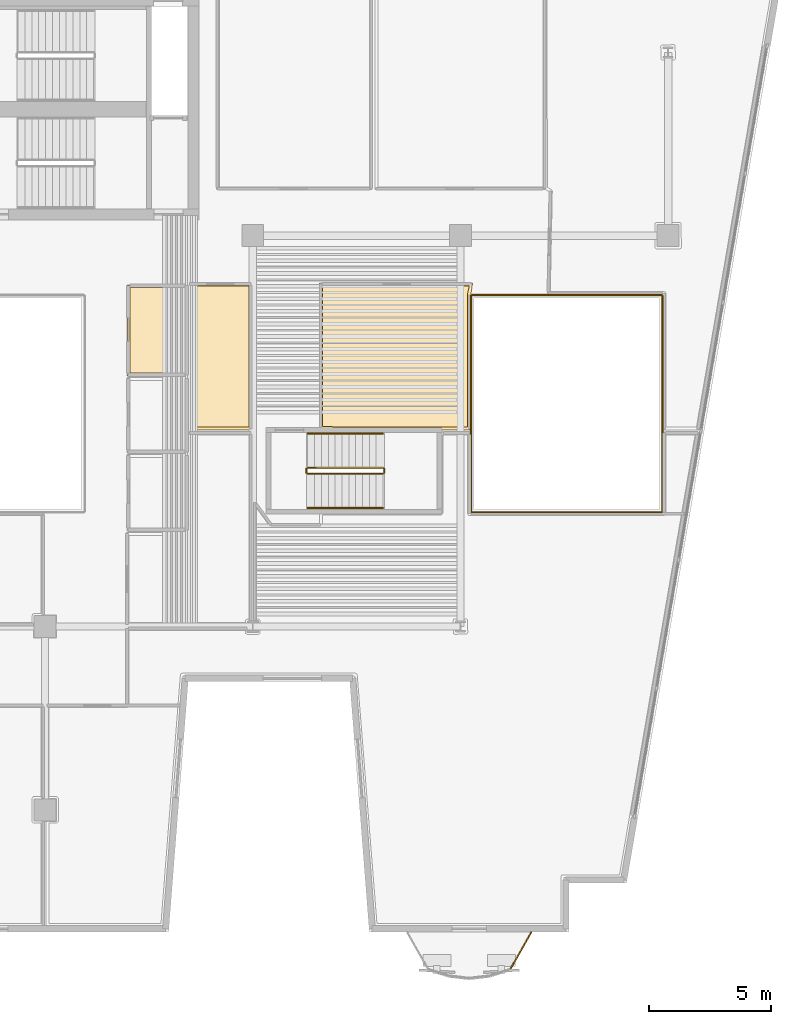
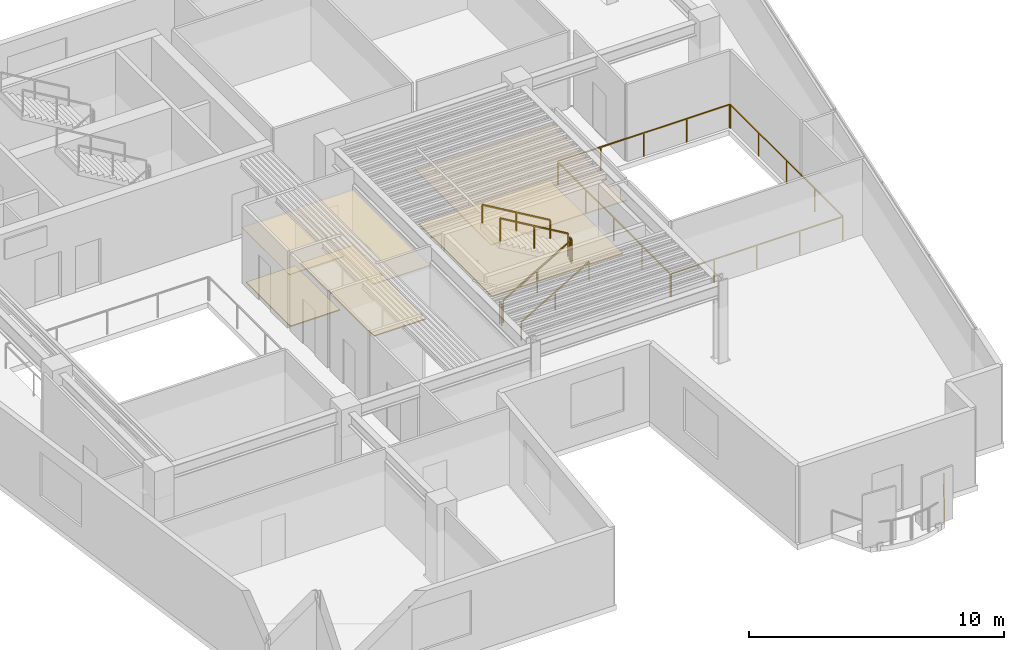
# One storey, part 8 of 10: 11 railings, 6 coverings.
"""IFC4 building model written with IfcOpenShell, lengths in metres."""

from ifc_helpers import new_model, si_unit, direction, frame, origin, origin_2d, place, context, subcontext, project, spatial, polyline, rectangle, outline, extrude, material, layer, layer_set, type_object, element, save


model = new_model("IFC4")

# Units and contexts
model_context = context("Model", 3, precision=1e-05, world=origin(), true_north=direction((0.0, 1.0)))
body_context = subcontext(model_context, "Body", "Model", "MODEL_VIEW")
ifc_project = project(units=[si_unit("LENGTHUNIT", "METRE"), si_unit("AREAUNIT", "SQUARE_METRE"), si_unit("VOLUMEUNIT", "CUBIC_METRE"), si_unit("PLANEANGLEUNIT", "RADIAN"), si_unit("MASSUNIT", "GRAM", prefix="KILO")], contexts=[model_context])

# Site, building, storey
site_placement = place(None, origin())
site = spatial("IfcSite", under=ifc_project, at=site_placement, CompositionType="ELEMENT")
building_placement = place(site_placement, origin())
building = spatial("IfcBuilding", under=site, at=building_placement, Name="Caeloran Harvest Quay", CompositionType="ELEMENT")
storey_placement = place(building_placement, frame((0.0, 0.0, 191.64990234375)))
storey = spatial("IfcBuildingStorey", under=building, at=storey_placement, Name="L45", CompositionType="ELEMENT", Elevation=191.64990234375)

# Coverings
ifc_material_1 = material(Name="Perforated Mineral-Fibre Acoustic Ceiling Tile", Category="ceiling")
ifc_layer_1 = layer(ifc_material_1, 0.0400390625, Name="Perforated Mineral-Fibre Acoustic Ceiling Tile")
ifc_layer_set_1 = layer_set([ifc_layer_1], Name="Perforated Mineral-Fibre Acoustic Ceiling Tile")
covering_type_1 = type_object("IfcCoveringType", Name="COV-CEILING-ACOUSTIC", PredefinedType="CEILING", material=ifc_layer_set_1)
covering_1_placement = place(storey_placement, frame((0.0, 0.0, 2.60009765625)))
element("IfcCovering", 1, at=covering_1_placement, inside=storey, type_object=covering_type_1, Name="L45 Male Washroom WC Acoustic Ceiling", PredefinedType="CEILING", context=body_context, shape_type="SweptSolid", body=[
    extrude(outline(polyline([(22.840087890625, 28.989990234375), (22.840087890625, 25.260009765625), (20.360107421875, 25.260009765625), (20.360107421875, 28.989990234375), (22.840087890625, 28.989990234375)])), origin(), (0.0, 0.0, 1.0), 0.0400390625),
])
covering_2_placement = place(storey_placement, frame((0.0, 0.0, 2.60009765625)))
element("IfcCovering", 2, at=covering_2_placement, inside=storey, type_object=covering_type_1, Name="Harbour View Boardroom Acoustic Ceiling", PredefinedType="CEILING", context=body_context, shape_type="SweptSolid", body=[
    extrude(outline(polyline([(22.8701171875, 23.0400390625), (22.8701171875, 29.06005859375), (25.4599609375, 29.06005859375), (25.4599609375, 23.0400390625), (22.8701171875, 23.0400390625)])), origin(), (0.0, 0.0, 1.0), 0.0400390625),
])
covering_3_placement = place(storey_placement, frame((0.0, 0.0, 2.60009765625)))
element("IfcCovering", 3, at=covering_3_placement, inside=storey, type_object=covering_type_1, Name="Client Hospitality Lounge Acoustic Ceiling", PredefinedType="CEILING", context=body_context, shape_type="SweptSolid", body=[
    extrude(outline(polyline([(33.162841796875, 23.06005859375), (28.239990234375, 23.06005859375), (28.239990234375, 29.06005859375), (34.49853515625, 29.06005859375), (34.429931640625, 28.596923828125), (34.409912109375, 28.592041015625), (34.409912109375, 23.0400390625), (33.170166015625, 23.0400390625), (33.162841796875, 23.06005859375)])), origin(), (0.0, 0.0, 1.0), 0.0400390625),
])
ifc_material_2 = material(Name="Calcium-Sulphate Raised Access Floor and Terrazzo Finish", Category="flooring")
ifc_layer_2 = layer(ifc_material_2, 0.050048828125, Name="Calcium-Sulphate Raised Access Floor and Terrazzo Finish")
ifc_layer_set_2 = layer_set([ifc_layer_2], Name="Calcium-Sulphate Raised Access Floor and Terrazzo Finish")
covering_type_2 = type_object("IfcCoveringType", Name="COV-FLOOR-RAISED", PredefinedType="FLOORING", material=ifc_layer_set_2)
covering_4_placement = place(storey_placement, origin())
element("IfcCovering", 4, at=covering_4_placement, inside=storey, type_object=covering_type_2, Name="L45 Male Washroom WC Raised Finish Flooring", PredefinedType="FLOORING", context=body_context, shape_type="SweptSolid", body=[
    extrude(outline(polyline([(22.719970703125, 28.8701171875), (22.719970703125, 25.3798828125), (20.47998046875, 25.3798828125), (20.47998046875, 28.8701171875), (22.719970703125, 28.8701171875)])), origin(), (0.0, 0.0, 1.0), 0.050048828125),
])
covering_5_placement = place(storey_placement, origin())
element("IfcCovering", 5, at=covering_5_placement, inside=storey, type_object=covering_type_2, Name="Harbour View Boardroom Raised Finish Flooring", PredefinedType="FLOORING", context=body_context, shape_type="SweptSolid", body=[
    extrude(outline(polyline([(22.989990234375, 23.159912109375), (22.989990234375, 28.93994140625), (25.340087890625, 28.93994140625), (25.340087890625, 23.159912109375), (22.989990234375, 23.159912109375)])), origin(), (0.0, 0.0, 1.0), 0.050048828125),
])
covering_6_placement = place(storey_placement, origin())
element("IfcCovering", 6, at=covering_6_placement, inside=storey, type_object=covering_type_2, Name="Client Hospitality Lounge Raised Finish Flooring", PredefinedType="FLOORING", context=body_context, shape_type="SweptSolid", body=[
    extrude(outline(polyline([(34.2900390625, 23.159912109375), (28.360107421875, 23.179931640625), (28.360107421875, 28.93994140625), (34.359619140625, 28.93994140625), (34.2900390625, 28.60009765625), (34.2900390625, 23.159912109375)])), origin(), (0.0, 0.0, 1.0), 0.050048828125),
])

# Railings
ifc_material_3 = material(Name="Powder-Coated Steel Post and Laminated Glass Guardrail", Category="steel")
ifc_layer_3 = layer(ifc_material_3, 0.06005859375, Name="Powder-Coated Steel Post and Laminated Glass Guardrail")
ifc_layer_set_3 = layer_set([ifc_layer_3], Name="Powder-Coated Steel Post and Laminated Glass Guardrail")
railing_type_1 = type_object("IfcRailingType", Name="GUARD-ATRIUM-1150", PredefinedType="GUARDRAIL", material=ifc_layer_set_3)
railing_1_placement = place(storey_placement, frame((34.4619140625, 19.679931640625, 0.0)))
element("IfcRailing", 7, at=railing_1_placement, inside=storey, type_object=railing_type_1, Name="L45 East Botanical Lightwell Guardrail Seg 1", PredefinedType="GUARDRAIL", context=body_context, shape_type="SweptSolid", body=[
    extrude(rectangle(XDim=0.048095703125, YDim=0.048095703125, at=origin_2d()), frame((0.0, 0.0, 1.1259765625), z_axis=(1.0, 0.0, 0.0), x_axis=(0.0, 1.0, 0.0)), (0.0, 0.0, 1.0), 7.776123046875),
    extrude(rectangle(XDim=0.0419921875, YDim=0.0419921875, at=origin_2d()), origin(), (0.0, 0.0, 1.0), 1.101806640625),
    extrude(rectangle(XDim=0.0419921875, YDim=0.0419921875, at=origin_2d()), frame((1.944091796875, 0.0, 0.0)), (0.0, 0.0, 1.0), 1.101806640625),
    extrude(rectangle(XDim=0.0419921875, YDim=0.0419921875, at=origin_2d()), frame((3.88818359375, 0.0, 0.0)), (0.0, 0.0, 1.0), 1.101806640625),
    extrude(rectangle(XDim=0.0419921875, YDim=0.0419921875, at=origin_2d()), frame((5.83203125, 0.0, 0.0)), (0.0, 0.0, 1.0), 1.101806640625),
    extrude(rectangle(XDim=0.0419921875, YDim=0.0419921875, at=origin_2d()), frame((7.776123046875, 0.0, 0.0)), (0.0, 0.0, 1.0), 1.101806640625),
])
railing_2_placement = place(storey_placement, frame((42.27001953125, 19.7119140625, 0.0)))
element("IfcRailing", 8, at=railing_2_placement, inside=storey, type_object=railing_type_1, Name="L45 East Botanical Lightwell Guardrail Seg 2", PredefinedType="GUARDRAIL", context=body_context, shape_type="SweptSolid", body=[
    extrude(rectangle(XDim=0.048095703125, YDim=0.048095703125, at=origin_2d()), frame((0.0, 0.0, 1.1259765625), z_axis=(0.0, 1.0, 0.0), x_axis=(-1.0, 0.0, 0.0)), (0.0, 0.0, 1.0), 8.826171875),
    extrude(rectangle(XDim=0.0419921875, YDim=0.0419921875, at=origin_2d()), origin(), (0.0, 0.0, 1.0), 1.101806640625),
    extrude(rectangle(XDim=0.0419921875, YDim=0.0419921875, at=origin_2d()), frame((0.0, 2.20654296875, 0.0)), (0.0, 0.0, 1.0), 1.101806640625),
    extrude(rectangle(XDim=0.0419921875, YDim=0.0419921875, at=origin_2d()), frame((0.0, 4.4130859375, 0.0)), (0.0, 0.0, 1.0), 1.101806640625),
    extrude(rectangle(XDim=0.0419921875, YDim=0.0419921875, at=origin_2d()), frame((0.0, 6.61962890625, 0.0)), (0.0, 0.0, 1.0), 1.101806640625),
    extrude(rectangle(XDim=0.0419921875, YDim=0.0419921875, at=origin_2d()), frame((0.0, 8.826171875, 0.0)), (0.0, 0.0, 1.0), 1.101806640625),
])
railing_3_placement = place(storey_placement, frame((42.238037109375, 28.570068359375, 0.0)))
element("IfcRailing", 9, at=railing_3_placement, inside=storey, type_object=railing_type_1, Name="L45 East Botanical Lightwell Guardrail Seg 3", PredefinedType="GUARDRAIL", context=body_context, shape_type="SweptSolid", body=[
    extrude(rectangle(XDim=0.048095703125, YDim=0.048095703125, at=origin_2d()), frame((0.0, 0.0, 1.1259765625), z_axis=(-1.0, 0.0, 0.0), x_axis=(0.0, -1.0, 0.0)), (0.0, 0.0, 1.0), 7.776123046875),
    extrude(rectangle(XDim=0.0419921875, YDim=0.0419921875, at=origin_2d()), origin(), (0.0, 0.0, 1.0), 1.101806640625),
    extrude(rectangle(XDim=0.0419921875, YDim=0.0419921875, at=origin_2d()), frame((-1.944091796875, 0.0, 0.0)), (0.0, 0.0, 1.0), 1.101806640625),
    extrude(rectangle(XDim=0.0419921875, YDim=0.0419921875, at=origin_2d()), frame((-3.88818359375, 0.0, 0.0)), (0.0, 0.0, 1.0), 1.101806640625),
    extrude(rectangle(XDim=0.0419921875, YDim=0.0419921875, at=origin_2d()), frame((-5.83203125, 0.0, 0.0)), (0.0, 0.0, 1.0), 1.101806640625),
    extrude(rectangle(XDim=0.0419921875, YDim=0.0419921875, at=origin_2d()), frame((-7.776123046875, 0.0, 0.0)), (0.0, 0.0, 1.0), 1.101806640625),
])
railing_4_placement = place(storey_placement, frame((34.429931640625, 28.5380859375, 0.0)))
element("IfcRailing", 10, at=railing_4_placement, inside=storey, type_object=railing_type_1, Name="L45 East Botanical Lightwell Guardrail Seg 4", PredefinedType="GUARDRAIL", context=body_context, shape_type="SweptSolid", body=[
    extrude(rectangle(XDim=0.048095703125, YDim=0.048095703125, at=origin_2d()), frame((0.0, 0.0, 1.1259765625), z_axis=(0.0, -1.0, 0.0), x_axis=(1.0, 0.0, 0.0)), (0.0, 0.0, 1.0), 8.826171875),
    extrude(rectangle(XDim=0.0419921875, YDim=0.0419921875, at=origin_2d()), origin(), (0.0, 0.0, 1.0), 1.101806640625),
    extrude(rectangle(XDim=0.0419921875, YDim=0.0419921875, at=origin_2d()), frame((0.0, -2.20654296875, 0.0)), (0.0, 0.0, 1.0), 1.101806640625),
    extrude(rectangle(XDim=0.0419921875, YDim=0.0419921875, at=origin_2d()), frame((0.0, -4.4130859375, 0.0)), (0.0, 0.0, 1.0), 1.101806640625),
    extrude(rectangle(XDim=0.0419921875, YDim=0.0419921875, at=origin_2d()), frame((0.0, -6.61962890625, 0.0)), (0.0, 0.0, 1.0), 1.101806640625),
    extrude(rectangle(XDim=0.0419921875, YDim=0.0419921875, at=origin_2d()), frame((0.0, -8.826171875, 0.0)), (0.0, 0.0, 1.0), 1.101806640625),
])
ifc_material_4 = material(Name="Laminated Safety Glass and Stainless Steel 316", Category="steel")
ifc_layer_4 = layer(ifc_material_4, 0.06005859375, Name="Laminated Safety Glass and Stainless Steel 316")
ifc_layer_set_4 = layer_set([ifc_layer_4], Name="Laminated Safety Glass and Stainless Steel 316")
railing_type_2 = type_object("IfcRailingType", Name="GUARD-BALUSTRADE-1150", PredefinedType="BALUSTRADE", material=ifc_layer_set_4)
railing_5_placement = place(storey_placement, frame((36.89501953125, 2.47998046875, 0.0)))
element("IfcRailing", 11, at=railing_5_placement, inside=storey, type_object=railing_type_2, Name="L45 Planted Balcony Perimeter Balustrade Guard Seg 1", PredefinedType="BALUSTRADE", context=body_context, shape_type="SweptSolid", body=[
    extrude(rectangle(XDim=0.048095703125, YDim=0.048095703125, at=origin_2d()), frame((0.0, 0.0, 1.1259765625), z_axis=(-0.493060124034, -0.869995237968, 0.0), x_axis=(0.869995237968, -0.493060124034, 0.0)), (0.0, 0.0, 1.0), 1.68408203125),
    extrude(rectangle(XDim=0.0419921875, YDim=0.0419921875, at=origin_2d()), origin(), (0.0, 0.0, 1.0), 1.101806640625),
    extrude(rectangle(XDim=0.0419921875, YDim=0.0419921875, at=origin_2d()), frame((-0.830322265625, -1.465087890625, 0.0)), (0.0, 0.0, 1.0), 1.101806640625),
])
ifc_material_5 = material(Name="Painted Steel Baluster and Top-Rail Stair Guard", Category="steel")
ifc_layer_5 = layer(ifc_material_5, 0.050048828125, Name="Painted Steel Baluster and Top-Rail Stair Guard")
ifc_layer_set_5 = layer_set([ifc_layer_5], Name="Painted Steel Baluster and Top-Rail Stair Guard")
railing_type_3 = type_object("IfcRailingType", Name="STAIR-GUARD-1100", PredefinedType="GUARDRAIL", material=ifc_layer_set_5)
railing_6_placement = place(storey_placement, frame((27.75, 21.25, 0.164794921875)))
element("IfcRailing", 12, at=railing_6_placement, inside=storey, type_object=railing_type_3, Name="L45 ST-W1 stair guard 1", PredefinedType="GUARDRAIL", context=body_context, shape_type="SweptSolid", body=[
    extrude(rectangle(XDim=0.048095703125, YDim=0.048095703125, at=origin_2d()), frame((0.0, 0.0, 1.076171875), z_axis=(0.862118610829, 0.0, 0.506706523406), x_axis=(0.0, 1.0, 0.0)), (0.0, 0.0, 1.0), 3.57275390625),
    extrude(rectangle(XDim=0.0419921875, YDim=0.0419921875, at=origin_2d()), origin(), (0.0, 0.0, 1.0), 1.052001953125),
    extrude(rectangle(XDim=0.0419921875, YDim=0.0419921875, at=origin_2d()), frame((1.5400390625, 0.0, 0.9052734375)), (0.0, 0.0, 1.0), 1.052001953125),
    extrude(rectangle(XDim=0.0419921875, YDim=0.0419921875, at=origin_2d()), frame((3.080078125, 0.0, 1.810302734375)), (0.0, 0.0, 1.0), 1.052001953125),
])
railing_7_placement = place(storey_placement, frame((30.8798828125, 21.300048828125, 1.97509765625)))
element("IfcRailing", 13, at=railing_7_placement, inside=storey, type_object=railing_type_3, Name="L45 ST-W1 stair guard 2", PredefinedType="GUARDRAIL", context=body_context, shape_type="SweptSolid", body=[
    extrude(rectangle(XDim=0.048095703125, YDim=0.048095703125, at=origin_2d()), frame((0.0, 0.0, 1.076171875), z_axis=(0.0, 1.0, 0.0), x_axis=(-1.0, 0.0, 0.0)), (0.0, 0.0, 1.0), 0.14990234375),
    extrude(rectangle(XDim=0.0419921875, YDim=0.0419921875, at=origin_2d()), origin(), (0.0, 0.0, 1.0), 1.052001953125),
    extrude(rectangle(XDim=0.0419921875, YDim=0.0419921875, at=origin_2d()), frame((0.0, 0.14990234375, 0.0)), (0.0, 0.0, 1.0), 1.052001953125),
])
railing_8_placement = place(storey_placement, frame((30.830078125, 21.5, 2.1396484375)))
element("IfcRailing", 14, at=railing_8_placement, inside=storey, type_object=railing_type_3, Name="L45 ST-W1 stair guard 3", PredefinedType="GUARDRAIL", context=body_context, shape_type="SweptSolid", body=[
    extrude(rectangle(XDim=0.048095703125, YDim=0.048095703125, at=origin_2d()), frame((0.0, 0.0, 1.076171875), z_axis=(-0.862088758681, 0.0, 0.506757310905), x_axis=(0.0, -1.0, 0.0)), (0.0, 0.0, 1.0), 3.57275390625),
    extrude(rectangle(XDim=0.0419921875, YDim=0.0419921875, at=origin_2d()), origin(), (0.0, 0.0, 1.0), 1.052001953125),
    extrude(rectangle(XDim=0.0419921875, YDim=0.0419921875, at=origin_2d()), frame((-1.5400390625, 0.0, 0.9052734375)), (0.0, 0.0, 1.0), 1.052001953125),
    extrude(rectangle(XDim=0.0419921875, YDim=0.0419921875, at=origin_2d()), frame((-3.080078125, 0.0, 1.810546875)), (0.0, 0.0, 1.0), 1.052001953125),
])
railing_9_placement = place(storey_placement, frame((27.699951171875, 21.300048828125, 0.0)))
element("IfcRailing", 15, at=railing_9_placement, inside=storey, type_object=railing_type_3, Name="L45 ST-W1 stair guard 4", PredefinedType="GUARDRAIL", context=body_context, shape_type="SweptSolid", body=[
    extrude(rectangle(XDim=0.048095703125, YDim=0.048095703125, at=origin_2d()), frame((0.0, 0.0, 1.076171875), z_axis=(0.0, 1.0, 0.0), x_axis=(-1.0, 0.0, 0.0)), (0.0, 0.0, 1.0), 0.14990234375),
    extrude(rectangle(XDim=0.0419921875, YDim=0.0419921875, at=origin_2d()), origin(), (0.0, 0.0, 1.0), 1.052001953125),
    extrude(rectangle(XDim=0.0419921875, YDim=0.0419921875, at=origin_2d()), frame((0.0, 0.14990234375, 0.0)), (0.0, 0.0, 1.0), 1.052001953125),
])
ifc_material_6 = material(Name="Brushed Stainless Steel Grade 304", Category="steel")
ifc_layer_6 = layer(ifc_material_6, 0.050048828125, Name="Brushed Stainless Steel Grade 304")
ifc_layer_set_6 = layer_set([ifc_layer_6], Name="Brushed Stainless Steel Grade 304")
railing_type_4 = type_object("IfcRailingType", Name="STAIR-HANDRAIL-900", PredefinedType="HANDRAIL", material=ifc_layer_set_6)
railing_10_placement = place(storey_placement, frame((27.75, 19.85009765625, 0.164794921875)))
element("IfcRailing", 16, at=railing_10_placement, inside=storey, type_object=railing_type_4, Name="L45 ST-W1 stair handrail 1", PredefinedType="HANDRAIL", context=body_context, shape_type="SweptSolid", body=[
    extrude(rectangle(XDim=0.048095703125, YDim=0.048095703125, at=origin_2d()), frame((0.0, 0.0, 0.8759765625), z_axis=(0.862118610829, 0.0, 0.506706523406), x_axis=(0.0, 1.0, 0.0)), (0.0, 0.0, 1.0), 3.57275390625),
    extrude(rectangle(XDim=0.0419921875, YDim=0.0419921875, at=origin_2d()), origin(), (0.0, 0.0, 1.0), 0.851806640625),
    extrude(rectangle(XDim=0.0419921875, YDim=0.0419921875, at=origin_2d()), frame((1.5400390625, 0.0, 0.9052734375)), (0.0, 0.0, 1.0), 0.851806640625),
    extrude(rectangle(XDim=0.0419921875, YDim=0.0419921875, at=origin_2d()), frame((3.080078125, 0.0, 1.810302734375)), (0.0, 0.0, 1.0), 0.851806640625),
])
railing_11_placement = place(storey_placement, frame((30.830078125, 22.89990234375, 2.1396484375)))
element("IfcRailing", 17, at=railing_11_placement, inside=storey, type_object=railing_type_4, Name="L45 ST-W1 stair handrail 2", PredefinedType="HANDRAIL", context=body_context, shape_type="SweptSolid", body=[
    extrude(rectangle(XDim=0.048095703125, YDim=0.048095703125, at=origin_2d()), frame((0.0, 0.0, 0.8759765625), z_axis=(-0.862088758681, 0.0, 0.506757310905), x_axis=(0.0, -1.0, 0.0)), (0.0, 0.0, 1.0), 3.57275390625),
    extrude(rectangle(XDim=0.0419921875, YDim=0.0419921875, at=origin_2d()), origin(), (0.0, 0.0, 1.0), 0.851806640625),
    extrude(rectangle(XDim=0.0419921875, YDim=0.0419921875, at=origin_2d()), frame((-1.5400390625, 0.0, 0.9052734375)), (0.0, 0.0, 1.0), 0.851806640625),
    extrude(rectangle(XDim=0.0419921875, YDim=0.0419921875, at=origin_2d()), frame((-3.080078125, 0.0, 1.810546875)), (0.0, 0.0, 1.0), 0.851806640625),
])

save(model, "model.ifc")
